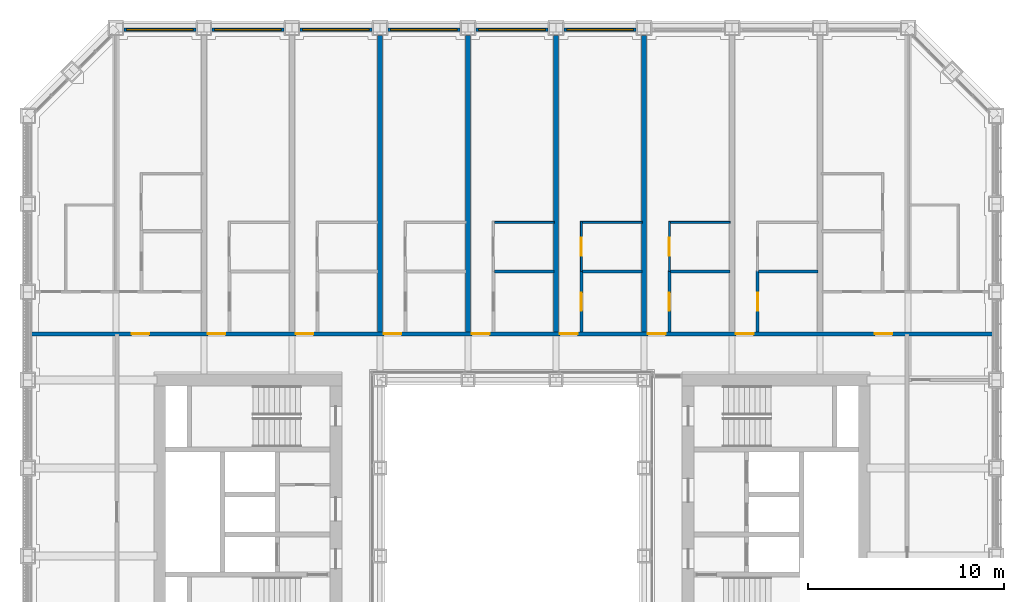
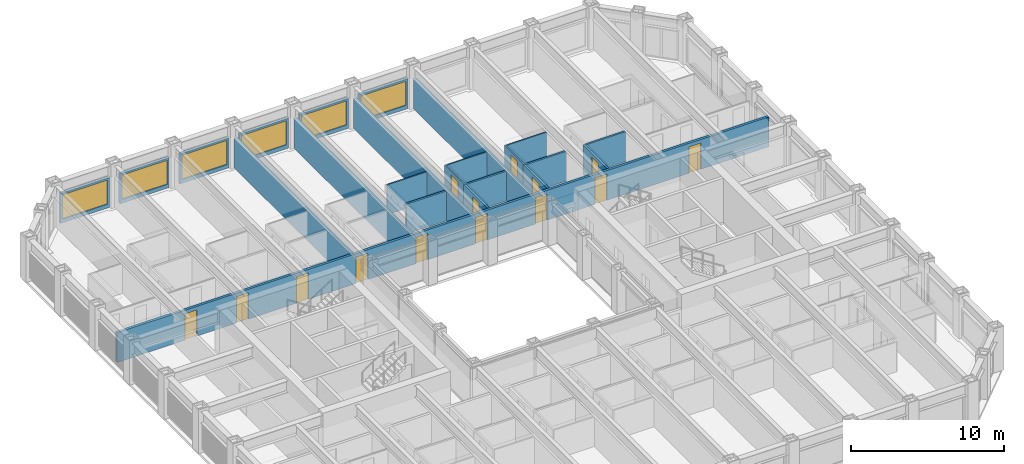
# One storey, part 14 of 21: 23 walls, 14 doors, 6 windows, 20 openings.
"""IFC4 building model written with IfcOpenShell, lengths in metres."""

from ifc_helpers import new_model, si_unit, direction, frame, frame_2d, origin, place, context, subcontext, project, spatial, rectangle, extrude, material, layer, layer_set, type_object, element, fill, save


model = new_model("IFC4")

# Units and contexts
model_context = context("Model", 3, precision=1e-05, world=origin(), true_north=direction((0.0, 1.0)))
body_context = subcontext(model_context, "Body", "Model", "MODEL_VIEW")
ifc_project = project(units=[si_unit("LENGTHUNIT", "METRE"), si_unit("AREAUNIT", "SQUARE_METRE"), si_unit("VOLUMEUNIT", "CUBIC_METRE"), si_unit("PLANEANGLEUNIT", "RADIAN"), si_unit("MASSUNIT", "GRAM", prefix="KILO")], contexts=[model_context])

# Site, building, storey
site_placement = place(None, origin())
site = spatial("IfcSite", under=ifc_project, at=site_placement, CompositionType="ELEMENT")
building_placement = place(site_placement, origin())
building = spatial("IfcBuilding", under=site, at=building_placement, Name="Msasa Ring Tower", CompositionType="ELEMENT")
storey_placement = place(building_placement, frame((0.0, 0.0, 33.5)))
storey = spatial("IfcBuildingStorey", under=building, at=storey_placement, Name="L07", CompositionType="ELEMENT", Elevation=33.5)

# Wall, opening, window
ifc_material_1 = material(Name="Terracotta rainscreen on blockwork", Category="masonry")
ifc_layer_1 = layer(ifc_material_1, 0.199951171875)
ifc_layer_set_1 = layer_set([ifc_layer_1], Name="FW1 TERRACOTTA-LINED INFILL BAY WALL 200")
wall_type_1 = type_object("IfcWallType", Name="FW1 TERRACOTTA-LINED INFILL BAY WALL 200", PredefinedType="SOLIDWALL", material=ifc_layer_set_1)
wall_1_placement = place(storey_placement, frame((-19.844970703125, 24.64990234375, 0.0), z_axis=(0.0, 0.0, 1.0), x_axis=(1.0, 0.0, 0.0)))
wall_1 = element("IfcWall", 1, at=wall_1_placement, inside=storey, type_object=wall_type_1, Name="Infill bay wall N L07 22", PredefinedType="SOLIDWALL", context=body_context, shape_type="SweptSolid", body=[
    extrude(rectangle(XDim=3.68994140625, YDim=0.199951171875, at=frame_2d((1.844970703125, 0.0))), origin(), (0.0, 0.0, 1.0), 2.37890625),
])
opening_1_placement = place(wall_1_placement, frame((0.14501953125, 0.0, 0.300048828125)))
opening_1 = element("IfcOpeningElement", 2, at=opening_1_placement, cuts=wall_1, Name="Opening WN1", PredefinedType="OPENING", context=body_context, shape_type="SweptSolid", body=[
    extrude(rectangle(XDim=3.39990234375, YDim=1.928955078125, at=frame_2d((1.699951171875, 0.96435546875))), frame((0.0, 0.10986328125, 0.0), z_axis=(0.0, -1.0, 0.0), x_axis=(1.0, 0.0, 0.0)), (0.0, 0.0, 1.0), 0.219970703125),
])
ifc_material_2 = material(Name="Aluminium frame with clear glass", Category="aluminium")
window_type = type_object("IfcWindowType", Name="WN1 RESIDENCE WINDOW 3400x1929", PartitioningType="SINGLE_PANEL", PredefinedType="WINDOW", material=ifc_material_2)
window_1_placement = place(opening_1_placement, origin())
window_1 = element("IfcWindow", 3, at=window_1_placement, inside=storey, type_object=window_type, Name="Window N L07 22", OverallHeight=1.928955078125, OverallWidth=3.39990234375, PartitioningType="SINGLE_PANEL", PredefinedType="WINDOW", context=body_context, shape_type="SweptSolid", body=[
    extrude(rectangle(XDim=3.39990234375, YDim=1.928955078125, at=frame_2d((1.699951171875, 0.96435546875))), frame((0.0, 0.030029296875, 0.0), z_axis=(0.0, -1.0, 0.0), x_axis=(1.0, 0.0, 0.0)), (0.0, 0.0, 1.0), 0.06005859375),
])
fill(opening_1, window_1)

wall_2_placement = place(storey_placement, frame((-15.344970703125, 24.64990234375, 0.0), z_axis=(0.0, 0.0, 1.0), x_axis=(1.0, 0.0, 0.0)))
wall_2 = element("IfcWall", 4, at=wall_2_placement, inside=storey, type_object=wall_type_1, Name="Infill bay wall N L07 23", PredefinedType="SOLIDWALL", context=body_context, shape_type="SweptSolid", body=[
    extrude(rectangle(XDim=3.68994140625, YDim=0.199951171875, at=frame_2d((1.844970703125, 0.0))), origin(), (0.0, 0.0, 1.0), 2.37890625),
])
opening_2_placement = place(wall_2_placement, frame((0.14501953125, 0.0, 0.300048828125)))
opening_2 = element("IfcOpeningElement", 5, at=opening_2_placement, cuts=wall_2, Name="Opening WN1", PredefinedType="OPENING", context=body_context, shape_type="SweptSolid", body=[
    extrude(rectangle(XDim=3.39990234375, YDim=1.928955078125, at=frame_2d((1.699951171875, 0.96435546875))), frame((0.0, 0.10986328125, 0.0), z_axis=(0.0, -1.0, 0.0), x_axis=(1.0, 0.0, 0.0)), (0.0, 0.0, 1.0), 0.219970703125),
])
window_2_placement = place(opening_2_placement, origin())
window_2 = element("IfcWindow", 6, at=window_2_placement, inside=storey, type_object=window_type, Name="Window N L07 23", OverallHeight=1.928955078125, OverallWidth=3.39990234375, PartitioningType="SINGLE_PANEL", PredefinedType="WINDOW", context=body_context, shape_type="SweptSolid", body=[
    extrude(rectangle(XDim=3.39990234375, YDim=1.928955078125, at=frame_2d((1.699951171875, 0.96435546875))), frame((0.0, 0.030029296875, 0.0), z_axis=(0.0, -1.0, 0.0), x_axis=(1.0, 0.0, 0.0)), (0.0, 0.0, 1.0), 0.06005859375),
])
fill(opening_2, window_2)

wall_3_placement = place(storey_placement, frame((-10.844970703125, 24.64990234375, 0.0), z_axis=(0.0, 0.0, 1.0), x_axis=(1.0, 0.0, 0.0)))
wall_3 = element("IfcWall", 7, at=wall_3_placement, inside=storey, type_object=wall_type_1, Name="Infill bay wall N L07 24", PredefinedType="SOLIDWALL", context=body_context, shape_type="SweptSolid", body=[
    extrude(rectangle(XDim=3.68994140625, YDim=0.199951171875, at=frame_2d((1.844970703125, 0.0))), origin(), (0.0, 0.0, 1.0), 2.37890625),
])
opening_3_placement = place(wall_3_placement, frame((0.14501953125, 0.0, 0.300048828125)))
opening_3 = element("IfcOpeningElement", 8, at=opening_3_placement, cuts=wall_3, Name="Opening WN1", PredefinedType="OPENING", context=body_context, shape_type="SweptSolid", body=[
    extrude(rectangle(XDim=3.39990234375, YDim=1.928955078125, at=frame_2d((1.699951171875, 0.96435546875))), frame((0.0, 0.10986328125, 0.0), z_axis=(0.0, -1.0, 0.0), x_axis=(1.0, 0.0, 0.0)), (0.0, 0.0, 1.0), 0.219970703125),
])
window_3_placement = place(opening_3_placement, origin())
window_3 = element("IfcWindow", 9, at=window_3_placement, inside=storey, type_object=window_type, Name="Window N L07 24", OverallHeight=1.928955078125, OverallWidth=3.39990234375, PartitioningType="SINGLE_PANEL", PredefinedType="WINDOW", context=body_context, shape_type="SweptSolid", body=[
    extrude(rectangle(XDim=3.39990234375, YDim=1.928955078125, at=frame_2d((1.699951171875, 0.96435546875))), frame((0.0, 0.030029296875, 0.0), z_axis=(0.0, -1.0, 0.0), x_axis=(1.0, 0.0, 0.0)), (0.0, 0.0, 1.0), 0.06005859375),
])
fill(opening_3, window_3)

wall_4_placement = place(storey_placement, frame((-6.344970703125, 24.64990234375, 0.0), z_axis=(0.0, 0.0, 1.0), x_axis=(1.0, 0.0, 0.0)))
wall_4 = element("IfcWall", 10, at=wall_4_placement, inside=storey, type_object=wall_type_1, Name="Infill bay wall N L07 25", PredefinedType="SOLIDWALL", context=body_context, shape_type="SweptSolid", body=[
    extrude(rectangle(XDim=3.68994140625, YDim=0.199951171875, at=frame_2d((1.844970703125, 0.0))), origin(), (0.0, 0.0, 1.0), 2.37890625),
])
opening_4_placement = place(wall_4_placement, frame((0.14501953125, 0.0, 0.300048828125)))
opening_4 = element("IfcOpeningElement", 11, at=opening_4_placement, cuts=wall_4, Name="Opening WN1", PredefinedType="OPENING", context=body_context, shape_type="SweptSolid", body=[
    extrude(rectangle(XDim=3.39990234375, YDim=1.928955078125, at=frame_2d((1.699951171875, 0.96435546875))), frame((0.0, 0.10986328125, 0.0), z_axis=(0.0, -1.0, 0.0), x_axis=(1.0, 0.0, 0.0)), (0.0, 0.0, 1.0), 0.219970703125),
])
window_4_placement = place(opening_4_placement, origin())
window_4 = element("IfcWindow", 12, at=window_4_placement, inside=storey, type_object=window_type, Name="Window N L07 25", OverallHeight=1.928955078125, OverallWidth=3.39990234375, PartitioningType="SINGLE_PANEL", PredefinedType="WINDOW", context=body_context, shape_type="SweptSolid", body=[
    extrude(rectangle(XDim=3.39990234375, YDim=1.928955078125, at=frame_2d((1.699951171875, 0.96435546875))), frame((0.0, 0.030029296875, 0.0), z_axis=(0.0, -1.0, 0.0), x_axis=(1.0, 0.0, 0.0)), (0.0, 0.0, 1.0), 0.06005859375),
])
fill(opening_4, window_4)

wall_5_placement = place(storey_placement, frame((-1.844970703125, 24.64990234375, 0.0), z_axis=(0.0, 0.0, 1.0), x_axis=(1.0, 0.0, 0.0)))
wall_5 = element("IfcWall", 13, at=wall_5_placement, inside=storey, type_object=wall_type_1, Name="Infill bay wall N L07 26", PredefinedType="SOLIDWALL", context=body_context, shape_type="SweptSolid", body=[
    extrude(rectangle(XDim=3.68994140625, YDim=0.199951171875, at=frame_2d((1.844970703125, 0.0))), origin(), (0.0, 0.0, 1.0), 2.37890625),
])
opening_5_placement = place(wall_5_placement, frame((0.14501953125, 0.0, 0.300048828125)))
opening_5 = element("IfcOpeningElement", 14, at=opening_5_placement, cuts=wall_5, Name="Opening WN1", PredefinedType="OPENING", context=body_context, shape_type="SweptSolid", body=[
    extrude(rectangle(XDim=3.39990234375, YDim=1.928955078125, at=frame_2d((1.699951171875, 0.96435546875))), frame((0.0, 0.10986328125, 0.0), z_axis=(0.0, -1.0, 0.0), x_axis=(1.0, 0.0, 0.0)), (0.0, 0.0, 1.0), 0.219970703125),
])
window_5_placement = place(opening_5_placement, origin())
window_5 = element("IfcWindow", 15, at=window_5_placement, inside=storey, type_object=window_type, Name="Window N L07 26", OverallHeight=1.928955078125, OverallWidth=3.39990234375, PartitioningType="SINGLE_PANEL", PredefinedType="WINDOW", context=body_context, shape_type="SweptSolid", body=[
    extrude(rectangle(XDim=3.39990234375, YDim=1.928955078125, at=frame_2d((1.699951171875, 0.96435546875))), frame((0.0, 0.030029296875, 0.0), z_axis=(0.0, -1.0, 0.0), x_axis=(1.0, 0.0, 0.0)), (0.0, 0.0, 1.0), 0.06005859375),
])
fill(opening_5, window_5)

wall_6_placement = place(storey_placement, frame((2.655029296875, 24.64990234375, 0.0), z_axis=(0.0, 0.0, 1.0), x_axis=(1.0, 0.0, 0.0)))
wall_6 = element("IfcWall", 16, at=wall_6_placement, inside=storey, type_object=wall_type_1, Name="Infill bay wall N L07 27", PredefinedType="SOLIDWALL", context=body_context, shape_type="SweptSolid", body=[
    extrude(rectangle(XDim=3.68994140625, YDim=0.199951171875, at=frame_2d((1.844970703125, 0.0))), origin(), (0.0, 0.0, 1.0), 2.37890625),
])
opening_6_placement = place(wall_6_placement, frame((0.14501953125, 0.0, 0.300048828125)))
opening_6 = element("IfcOpeningElement", 17, at=opening_6_placement, cuts=wall_6, Name="Opening WN1", PredefinedType="OPENING", context=body_context, shape_type="SweptSolid", body=[
    extrude(rectangle(XDim=3.39990234375, YDim=1.928955078125, at=frame_2d((1.699951171875, 0.96435546875))), frame((0.0, 0.10986328125, 0.0), z_axis=(0.0, -1.0, 0.0), x_axis=(1.0, 0.0, 0.0)), (0.0, 0.0, 1.0), 0.219970703125),
])
window_6_placement = place(opening_6_placement, origin())
window_6 = element("IfcWindow", 18, at=window_6_placement, inside=storey, type_object=window_type, Name="Window N L07 27", OverallHeight=1.928955078125, OverallWidth=3.39990234375, PartitioningType="SINGLE_PANEL", PredefinedType="WINDOW", context=body_context, shape_type="SweptSolid", body=[
    extrude(rectangle(XDim=3.39990234375, YDim=1.928955078125, at=frame_2d((1.699951171875, 0.96435546875))), frame((0.0, 0.030029296875, 0.0), z_axis=(0.0, -1.0, 0.0), x_axis=(1.0, 0.0, 0.0)), (0.0, 0.0, 1.0), 0.06005859375),
])
fill(opening_6, window_6)

# Wall, openings, doors
ifc_material_3 = material(Name="Concrete blockwork", Category="masonry")
ifc_layer_2 = layer(ifc_material_3, 0.199951171875)
ifc_layer_set_2 = layer_set([ifc_layer_2], Name="PT1 CORRIDOR WALL 200")
wall_type_2 = type_object("IfcWallType", Name="PT1 CORRIDOR WALL 200", PredefinedType="PARTITIONING", material=ifc_layer_set_2)
wall_7_placement = place(storey_placement, frame((-24.550048828125, 9.10009765625, 0.0), z_axis=(0.0, 0.0, 1.0), x_axis=(1.0, 0.0, 0.0)))
wall_7 = element("IfcWall", 19, at=wall_7_placement, inside=storey, type_object=wall_type_2, Name="Corridor wall L07-CORRN0", PredefinedType="PARTITIONING", context=body_context, shape_type="SweptSolid", body=[
    extrude(rectangle(XDim=49.10009765625, YDim=0.199951171875, at=frame_2d((24.550048828125, 0.0))), origin(), (0.0, 0.0, 1.0), 2.373291015625),
])
opening_7_placement = place(wall_7_placement, frame((5.10009765625, 0.0, 0.0)))
opening_7 = element("IfcOpeningElement", 20, at=opening_7_placement, cuts=wall_7, Name="Opening RA-027", PredefinedType="OPENING", context=body_context, shape_type="SweptSolid", body=[
    extrude(rectangle(XDim=0.89990234375, YDim=2.10009765625, at=frame_2d((0.449951171875, 1.050048828125))), frame((0.0, 0.10986328125, 0.0), z_axis=(0.0, -1.0, 0.0), x_axis=(1.0, 0.0, 0.0)), (0.0, 0.0, 1.0), 0.219970703125),
])
opening_8_placement = place(wall_7_placement, frame((9.0, 0.0, 0.0)))
opening_8 = element("IfcOpeningElement", 21, at=opening_8_placement, cuts=wall_7, Name="Opening RA-028", PredefinedType="OPENING", context=body_context, shape_type="SweptSolid", body=[
    extrude(rectangle(XDim=0.89990234375, YDim=2.10009765625, at=frame_2d((0.449951171875, 1.050048828125))), frame((0.0, 0.10986328125, 0.0), z_axis=(0.0, -1.0, 0.0), x_axis=(1.0, 0.0, 0.0)), (0.0, 0.0, 1.0), 0.219970703125),
])
opening_9_placement = place(wall_7_placement, frame((13.5, 0.0, 0.0)))
opening_9 = element("IfcOpeningElement", 22, at=opening_9_placement, cuts=wall_7, Name="Opening RA-029", PredefinedType="OPENING", context=body_context, shape_type="SweptSolid", body=[
    extrude(rectangle(XDim=0.89990234375, YDim=2.10009765625, at=frame_2d((0.449951171875, 1.050048828125))), frame((0.0, 0.10986328125, 0.0), z_axis=(0.0, -1.0, 0.0), x_axis=(1.0, 0.0, 0.0)), (0.0, 0.0, 1.0), 0.219970703125),
])
opening_10_placement = place(wall_7_placement, frame((18.0, 0.0, 0.0)))
opening_10 = element("IfcOpeningElement", 23, at=opening_10_placement, cuts=wall_7, Name="Opening RA-030", PredefinedType="OPENING", context=body_context, shape_type="SweptSolid", body=[
    extrude(rectangle(XDim=0.89990234375, YDim=2.10009765625, at=frame_2d((0.449951171875, 1.050048828125))), frame((0.0, 0.10986328125, 0.0), z_axis=(0.0, -1.0, 0.0), x_axis=(1.0, 0.0, 0.0)), (0.0, 0.0, 1.0), 0.219970703125),
])
opening_11_placement = place(wall_7_placement, frame((22.5, 0.0, 0.0)))
opening_11 = element("IfcOpeningElement", 24, at=opening_11_placement, cuts=wall_7, Name="Opening RA-031", PredefinedType="OPENING", context=body_context, shape_type="SweptSolid", body=[
    extrude(rectangle(XDim=0.89990234375, YDim=2.10009765625, at=frame_2d((0.449951171875, 1.050048828125))), frame((0.0, 0.10986328125, 0.0), z_axis=(0.0, -1.0, 0.0), x_axis=(1.0, 0.0, 0.0)), (0.0, 0.0, 1.0), 0.219970703125),
])
opening_12_placement = place(wall_7_placement, frame((27.0, 0.0, 0.0)))
opening_12 = element("IfcOpeningElement", 25, at=opening_12_placement, cuts=wall_7, Name="Opening RA-032", PredefinedType="OPENING", context=body_context, shape_type="SweptSolid", body=[
    extrude(rectangle(XDim=0.89990234375, YDim=2.10009765625, at=frame_2d((0.449951171875, 1.050048828125))), frame((0.0, 0.10986328125, 0.0), z_axis=(0.0, -1.0, 0.0), x_axis=(1.0, 0.0, 0.0)), (0.0, 0.0, 1.0), 0.219970703125),
])
opening_13_placement = place(wall_7_placement, frame((31.5, 0.0, 0.0)))
opening_13 = element("IfcOpeningElement", 26, at=opening_13_placement, cuts=wall_7, Name="Opening RA-033", PredefinedType="OPENING", context=body_context, shape_type="SweptSolid", body=[
    extrude(rectangle(XDim=0.89990234375, YDim=2.10009765625, at=frame_2d((0.449951171875, 1.050048828125))), frame((0.0, 0.10986328125, 0.0), z_axis=(0.0, -1.0, 0.0), x_axis=(1.0, 0.0, 0.0)), (0.0, 0.0, 1.0), 0.219970703125),
])
opening_14_placement = place(wall_7_placement, frame((36.0, 0.0, 0.0)))
opening_14 = element("IfcOpeningElement", 27, at=opening_14_placement, cuts=wall_7, Name="Opening RA-034", PredefinedType="OPENING", context=body_context, shape_type="SweptSolid", body=[
    extrude(rectangle(XDim=0.89990234375, YDim=2.10009765625, at=frame_2d((0.449951171875, 1.050048828125))), frame((0.0, 0.10986328125, 0.0), z_axis=(0.0, -1.0, 0.0), x_axis=(1.0, 0.0, 0.0)), (0.0, 0.0, 1.0), 0.219970703125),
])
opening_15_placement = place(wall_7_placement, frame((43.10009765625, 0.0, 0.0)))
opening_15 = element("IfcOpeningElement", 28, at=opening_15_placement, cuts=wall_7, Name="Opening RA-035", PredefinedType="OPENING", context=body_context, shape_type="SweptSolid", body=[
    extrude(rectangle(XDim=0.89990234375, YDim=2.10009765625, at=frame_2d((0.449951171875, 1.050048828125))), frame((0.0, 0.10986328125, 0.0), z_axis=(0.0, -1.0, 0.0), x_axis=(1.0, 0.0, 0.0)), (0.0, 0.0, 1.0), 0.219970703125),
])
ifc_material_4 = material(Name="Timber door leaf in a steel frame", Category="steel")
door_type_1 = type_object("IfcDoorType", Name="D2 ENTRANCE DOOR 900x2100", OperationType="SINGLE_SWING_LEFT", PredefinedType="DOOR", material=ifc_material_4)
door_1_placement = place(opening_7_placement, origin())
door_1 = element("IfcDoor", 29, at=door_1_placement, inside=storey, type_object=door_type_1, Name="Door L07-UN00", OperationType="SINGLE_SWING_LEFT", OverallHeight=2.10009765625, OverallWidth=0.89990234375, PredefinedType="DOOR", context=body_context, shape_type="SweptSolid", body=[
    extrude(rectangle(XDim=0.89990234375, YDim=2.10009765625, at=frame_2d((0.449951171875, 1.050048828125))), frame((0.0, 0.02490234375, 0.0), z_axis=(0.0, -1.0, 0.0), x_axis=(1.0, 0.0, 0.0)), (0.0, 0.0, 1.0), 0.050048828125),
])
fill(opening_7, door_1)
door_2_placement = place(opening_8_placement, origin())
door_2 = element("IfcDoor", 30, at=door_2_placement, inside=storey, type_object=door_type_1, Name="Door L07-UN01", OperationType="SINGLE_SWING_LEFT", OverallHeight=2.10009765625, OverallWidth=0.89990234375, PredefinedType="DOOR", context=body_context, shape_type="SweptSolid", body=[
    extrude(rectangle(XDim=0.89990234375, YDim=2.10009765625, at=frame_2d((0.449951171875, 1.050048828125))), frame((0.0, 0.02490234375, 0.0), z_axis=(0.0, -1.0, 0.0), x_axis=(1.0, 0.0, 0.0)), (0.0, 0.0, 1.0), 0.050048828125),
])
fill(opening_8, door_2)
door_3_placement = place(opening_9_placement, origin())
door_3 = element("IfcDoor", 31, at=door_3_placement, inside=storey, type_object=door_type_1, Name="Door L07-UN02", OperationType="SINGLE_SWING_LEFT", OverallHeight=2.10009765625, OverallWidth=0.89990234375, PredefinedType="DOOR", context=body_context, shape_type="SweptSolid", body=[
    extrude(rectangle(XDim=0.89990234375, YDim=2.10009765625, at=frame_2d((0.449951171875, 1.050048828125))), frame((0.0, 0.02490234375, 0.0), z_axis=(0.0, -1.0, 0.0), x_axis=(1.0, 0.0, 0.0)), (0.0, 0.0, 1.0), 0.050048828125),
])
fill(opening_9, door_3)
door_4_placement = place(opening_10_placement, origin())
door_4 = element("IfcDoor", 32, at=door_4_placement, inside=storey, type_object=door_type_1, Name="Door L07-UN03", OperationType="SINGLE_SWING_LEFT", OverallHeight=2.10009765625, OverallWidth=0.89990234375, PredefinedType="DOOR", context=body_context, shape_type="SweptSolid", body=[
    extrude(rectangle(XDim=0.89990234375, YDim=2.10009765625, at=frame_2d((0.449951171875, 1.050048828125))), frame((0.0, 0.02490234375, 0.0), z_axis=(0.0, -1.0, 0.0), x_axis=(1.0, 0.0, 0.0)), (0.0, 0.0, 1.0), 0.050048828125),
])
fill(opening_10, door_4)
door_5_placement = place(opening_11_placement, origin())
door_5 = element("IfcDoor", 33, at=door_5_placement, inside=storey, type_object=door_type_1, Name="Door L07-UN04", OperationType="SINGLE_SWING_LEFT", OverallHeight=2.10009765625, OverallWidth=0.89990234375, PredefinedType="DOOR", context=body_context, shape_type="SweptSolid", body=[
    extrude(rectangle(XDim=0.89990234375, YDim=2.10009765625, at=frame_2d((0.449951171875, 1.050048828125))), frame((0.0, 0.02490234375, 0.0), z_axis=(0.0, -1.0, 0.0), x_axis=(1.0, 0.0, 0.0)), (0.0, 0.0, 1.0), 0.050048828125),
])
fill(opening_11, door_5)
door_6_placement = place(opening_12_placement, origin())
door_6 = element("IfcDoor", 34, at=door_6_placement, inside=storey, type_object=door_type_1, Name="Door L07-UN05", OperationType="SINGLE_SWING_RIGHT", OverallHeight=2.10009765625, OverallWidth=0.89990234375, PredefinedType="DOOR", context=body_context, shape_type="SweptSolid", body=[
    extrude(rectangle(XDim=0.89990234375, YDim=2.10009765625, at=frame_2d((0.449951171875, 1.050048828125))), frame((0.0, 0.02490234375, 0.0), z_axis=(0.0, -1.0, 0.0), x_axis=(1.0, 0.0, 0.0)), (0.0, 0.0, 1.0), 0.050048828125),
])
fill(opening_12, door_6)
door_7_placement = place(opening_13_placement, origin())
door_7 = element("IfcDoor", 35, at=door_7_placement, inside=storey, type_object=door_type_1, Name="Door L07-UN06", OperationType="SINGLE_SWING_RIGHT", OverallHeight=2.10009765625, OverallWidth=0.89990234375, PredefinedType="DOOR", context=body_context, shape_type="SweptSolid", body=[
    extrude(rectangle(XDim=0.89990234375, YDim=2.10009765625, at=frame_2d((0.449951171875, 1.050048828125))), frame((0.0, 0.02490234375, 0.0), z_axis=(0.0, -1.0, 0.0), x_axis=(1.0, 0.0, 0.0)), (0.0, 0.0, 1.0), 0.050048828125),
])
fill(opening_13, door_7)
door_8_placement = place(opening_14_placement, origin())
door_8 = element("IfcDoor", 36, at=door_8_placement, inside=storey, type_object=door_type_1, Name="Door L07-UN07", OperationType="SINGLE_SWING_RIGHT", OverallHeight=2.10009765625, OverallWidth=0.89990234375, PredefinedType="DOOR", context=body_context, shape_type="SweptSolid", body=[
    extrude(rectangle(XDim=0.89990234375, YDim=2.10009765625, at=frame_2d((0.449951171875, 1.050048828125))), frame((0.0, 0.02490234375, 0.0), z_axis=(0.0, -1.0, 0.0), x_axis=(1.0, 0.0, 0.0)), (0.0, 0.0, 1.0), 0.050048828125),
])
fill(opening_14, door_8)
door_9_placement = place(opening_15_placement, origin())
door_9 = element("IfcDoor", 37, at=door_9_placement, inside=storey, type_object=door_type_1, Name="Door L07-UN08", OperationType="SINGLE_SWING_RIGHT", OverallHeight=2.10009765625, OverallWidth=0.89990234375, PredefinedType="DOOR", context=body_context, shape_type="SweptSolid", body=[
    extrude(rectangle(XDim=0.89990234375, YDim=2.10009765625, at=frame_2d((0.449951171875, 1.050048828125))), frame((0.0, 0.02490234375, 0.0), z_axis=(0.0, -1.0, 0.0), x_axis=(1.0, 0.0, 0.0)), (0.0, 0.0, 1.0), 0.050048828125),
])
fill(opening_15, door_9)

# Walls
ifc_material_5 = material(Name="Gypsum board on steel studs", Category="steel")
ifc_layer_3 = layer(ifc_material_5, 0.10009765625)
ifc_layer_set_3 = layer_set([ifc_layer_3], Name="PT2 STUD PARTITION 100")
wall_type_3 = type_object("IfcWallType", Name="PT2 STUD PARTITION 100", PredefinedType="PARTITIONING", material=ifc_layer_set_3)
for number, where, z_axis, x_axis, name in (
    (38, (-0.89990234375, 14.800048828125, 0.0), (0.0, 0.0, 1.0), (1.0, 0.0, 0.0), "Partition L07-UN04KY"),
    (39, (3.60009765625, 14.800048828125, 0.0), (0.0, 0.0, 1.0), (1.0, 0.0, 0.0), "Partition L07-UN05KY"),
):
    element("IfcWall", number, at=place(storey_placement, frame(where, z_axis=z_axis, x_axis=x_axis)), inside=storey, type_object=wall_type_3, Name=name, PredefinedType="PARTITIONING", context=body_context, shape_type="SweptSolid", body=[
        extrude(rectangle(XDim=3.0498046875, YDim=0.10009765625, at=frame_2d((1.52490234375, 0.0))), origin(), (0.0, 0.0, 1.0), 2.373291015625),
    ])

# Wall, opening, door
wall_8_placement = place(storey_placement, frame((3.550048828125, 12.300048828125, 0.0), z_axis=(0.0, 0.0, 1.0), x_axis=(0.0, 1.0, 0.0)))
wall_8 = element("IfcWall", 40, at=wall_8_placement, inside=storey, type_object=wall_type_3, Name="Partition L07-UN05KX", PredefinedType="PARTITIONING", context=body_context, shape_type="SweptSolid", body=[
    extrude(rectangle(XDim=2.550048828125, YDim=0.10009765625, at=frame_2d((1.27490234375, 0.0))), origin(), (0.0, 0.0, 1.0), 2.373291015625),
])
opening_16_placement = place(wall_8_placement, frame((0.81005859375, 0.0, 0.0)))
opening_16 = element("IfcOpeningElement", 41, at=opening_16_placement, cuts=wall_8, Name="Opening RA-007", PredefinedType="OPENING", context=body_context, shape_type="SweptSolid", body=[
    extrude(rectangle(XDim=0.89990234375, YDim=2.10009765625, at=frame_2d((0.449951171875, 1.050048828125))), frame((0.0, 0.06005859375, 0.0), z_axis=(0.0, -1.0, 0.0), x_axis=(1.0, 0.0, 0.0)), (0.0, 0.0, 1.0), 0.1201171875),
])
ifc_material_6 = material(Name="Timber door leaf in a steel frame", Category="steel")
door_type_2 = type_object("IfcDoorType", Name="D22 INTERNAL HALL DOOR 900x2100", OperationType="SINGLE_SWING_LEFT", PredefinedType="DOOR", material=ifc_material_6)
door_10_placement = place(opening_16_placement, origin())
door_10 = element("IfcDoor", 42, at=door_10_placement, inside=storey, type_object=door_type_2, Name="Door L07-UN05K", OperationType="SINGLE_SWING_LEFT", OverallHeight=2.10009765625, OverallWidth=0.89990234375, PredefinedType="DOOR", context=body_context, shape_type="SweptSolid", body=[
    extrude(rectangle(XDim=0.89990234375, YDim=2.10009765625, at=frame_2d((0.449951171875, 1.050048828125))), frame((0.0, 0.02490234375, 0.0), z_axis=(0.0, -1.0, 0.0), x_axis=(1.0, 0.0, 0.0)), (0.0, 0.0, 1.0), 0.050048828125),
])
fill(opening_16, door_10)

# Wall
wall_9_placement = place(storey_placement, frame((8.10009765625, 14.800048828125, 0.0), z_axis=(0.0, 0.0, 1.0), x_axis=(1.0, 0.0, 0.0)))
element("IfcWall", 43, at=wall_9_placement, inside=storey, type_object=wall_type_3, Name="Partition L07-UN06KY", PredefinedType="PARTITIONING", context=body_context, shape_type="SweptSolid", body=[
    extrude(rectangle(XDim=3.0498046875, YDim=0.10009765625, at=frame_2d((1.52490234375, 0.0))), origin(), (0.0, 0.0, 1.0), 2.373291015625),
])

# Wall, opening, door
wall_10_placement = place(storey_placement, frame((8.050048828125, 12.300048828125, 0.0), z_axis=(0.0, 0.0, 1.0), x_axis=(0.0, 1.0, 0.0)))
wall_10 = element("IfcWall", 44, at=wall_10_placement, inside=storey, type_object=wall_type_3, Name="Partition L07-UN06KX", PredefinedType="PARTITIONING", context=body_context, shape_type="SweptSolid", body=[
    extrude(rectangle(XDim=2.550048828125, YDim=0.10009765625, at=frame_2d((1.27490234375, 0.0))), origin(), (0.0, 0.0, 1.0), 2.373291015625),
])
opening_17_placement = place(wall_10_placement, frame((0.81005859375, 0.0, 0.0)))
opening_17 = element("IfcOpeningElement", 45, at=opening_17_placement, cuts=wall_10, Name="Opening RA-008", PredefinedType="OPENING", context=body_context, shape_type="SweptSolid", body=[
    extrude(rectangle(XDim=0.89990234375, YDim=2.10009765625, at=frame_2d((0.449951171875, 1.050048828125))), frame((0.0, 0.06005859375, 0.0), z_axis=(0.0, -1.0, 0.0), x_axis=(1.0, 0.0, 0.0)), (0.0, 0.0, 1.0), 0.1201171875),
])
door_11_placement = place(opening_17_placement, origin())
door_11 = element("IfcDoor", 46, at=door_11_placement, inside=storey, type_object=door_type_2, Name="Door L07-UN06K", OperationType="SINGLE_SWING_LEFT", OverallHeight=2.10009765625, OverallWidth=0.89990234375, PredefinedType="DOOR", context=body_context, shape_type="SweptSolid", body=[
    extrude(rectangle(XDim=0.89990234375, YDim=2.10009765625, at=frame_2d((0.449951171875, 1.050048828125))), frame((0.0, 0.02490234375, 0.0), z_axis=(0.0, -1.0, 0.0), x_axis=(1.0, 0.0, 0.0)), (0.0, 0.0, 1.0), 0.050048828125),
])
fill(opening_17, door_11)

# Walls
ifc_material_7 = material(Name="Dense concrete blockwork, plastered both faces", Category="masonry")
ifc_layer_4 = layer(ifc_material_7, 0.25)
ifc_layer_set_4 = layer_set([ifc_layer_4], Name="PT3 APARTMENT SEPARATING WALL 250")
wall_type_4 = type_object("IfcWallType", Name="PT3 APARTMENT SEPARATING WALL 250", PredefinedType="PARTITIONING", material=ifc_layer_set_4)
for number, where, z_axis, x_axis, name in (
    (47, (-6.75, 9.199951171875, 0.0), (0.0, 0.0, 1.0), (0.0, 1.0, 0.0), "Party wall L07-PWN-6.75"),
    (48, (-2.25, 9.199951171875, 0.0), (0.0, 0.0, 1.0), (0.0, 1.0, 0.0), "Party wall L07-PWN-2.25"),
    (49, (2.25, 9.199951171875, 0.0), (0.0, 0.0, 1.0), (0.0, 1.0, 0.0), "Party wall L07-PWN+2.25"),
    (50, (6.75, 9.199951171875, 0.0), (0.0, 0.0, 1.0), (0.0, 1.0, 0.0), "Party wall L07-PWN+6.75"),
):
    element("IfcWall", number, at=place(storey_placement, frame(where, z_axis=z_axis, x_axis=x_axis)), inside=storey, type_object=wall_type_4, Name=name, PredefinedType="PARTITIONING", context=body_context, shape_type="SweptSolid", body=[
        extrude(rectangle(XDim=15.150146484375, YDim=0.25, at=frame_2d((7.5751953125, 0.0))), origin(), (0.0, 0.0, 1.0), 2.373291015625),
    ])
ifc_material_8 = material(Name="Moisture-resistant board on steel studs with a concealed cistern and pipe void, tiled", Category="steel")
ifc_layer_5 = layer(ifc_material_8, 0.14990234375)
ifc_layer_set_5 = layer_set([ifc_layer_5], Name="PT4 BATHROOM WET WALL 150")
wall_type_5 = type_object("IfcWallType", Name="PT4 BATHROOM WET WALL 150", PredefinedType="PARTITIONING", material=ifc_layer_set_5)
wall_11_placement = place(storey_placement, frame((-0.89990234375, 12.300048828125, 0.0), z_axis=(0.0, 0.0, 1.0), x_axis=(1.0, 0.0, 0.0)))
element("IfcWall", 51, at=wall_11_placement, inside=storey, type_object=wall_type_5, Name="Partition L07-UN04BY", PredefinedType="PARTITIONING", context=body_context, shape_type="SweptSolid", body=[
    extrude(rectangle(XDim=3.0498046875, YDim=0.14990234375, at=frame_2d((1.52490234375, 0.0))), origin(), (0.0, 0.0, 1.0), 2.373291015625),
])

# Wall, opening, door
wall_12_placement = place(storey_placement, frame((3.550048828125, 9.199951171875, 0.0), z_axis=(0.0, 0.0, 1.0), x_axis=(0.0, 1.0, 0.0)))
wall_12 = element("IfcWall", 52, at=wall_12_placement, inside=storey, type_object=wall_type_5, Name="Partition L07-UN05BX", PredefinedType="PARTITIONING", context=body_context, shape_type="SweptSolid", body=[
    extrude(rectangle(XDim=3.150146484375, YDim=0.14990234375, at=frame_2d((1.5751953125, 0.0))), origin(), (0.0, 0.0, 1.0), 2.373291015625),
])
opening_18_placement = place(wall_12_placement, frame((1.10009765625, 0.0, 0.0)))
opening_18 = element("IfcOpeningElement", 53, at=opening_18_placement, cuts=wall_12, Name="Opening RA-024", PredefinedType="OPENING", context=body_context, shape_type="SweptSolid", body=[
    extrude(rectangle(XDim=0.89990234375, YDim=2.10009765625, at=frame_2d((0.449951171875, 1.050048828125))), frame((0.0, 0.0849609375, 0.0), z_axis=(0.0, -1.0, 0.0), x_axis=(1.0, 0.0, 0.0)), (0.0, 0.0, 1.0), 0.169921875),
])
ifc_material_9 = material(Name="Timber door leaf in a steel frame", Category="steel")
door_type_3 = type_object("IfcDoorType", Name="D3 BATHROOM DOOR 900x2100", OperationType="SINGLE_SWING_LEFT", PredefinedType="DOOR", material=ifc_material_9)
door_12_placement = place(opening_18_placement, origin())
door_12 = element("IfcDoor", 54, at=door_12_placement, inside=storey, type_object=door_type_3, Name="Door L07-UN05B", OperationType="SINGLE_SWING_LEFT", OverallHeight=2.10009765625, OverallWidth=0.89990234375, PredefinedType="DOOR", context=body_context, shape_type="SweptSolid", body=[
    extrude(rectangle(XDim=0.89990234375, YDim=2.10009765625, at=frame_2d((0.449951171875, 1.050048828125))), frame((0.0, 0.02490234375, 0.0), z_axis=(0.0, -1.0, 0.0), x_axis=(1.0, 0.0, 0.0)), (0.0, 0.0, 1.0), 0.050048828125),
])
fill(opening_18, door_12)

# Wall
wall_13_placement = place(storey_placement, frame((3.60009765625, 12.300048828125, 0.0), z_axis=(0.0, 0.0, 1.0), x_axis=(1.0, 0.0, 0.0)))
element("IfcWall", 55, at=wall_13_placement, inside=storey, type_object=wall_type_5, Name="Partition L07-UN05BY", PredefinedType="PARTITIONING", context=body_context, shape_type="SweptSolid", body=[
    extrude(rectangle(XDim=3.0498046875, YDim=0.14990234375, at=frame_2d((1.52490234375, 0.0))), origin(), (0.0, 0.0, 1.0), 2.373291015625),
])

# Wall, opening, door
wall_14_placement = place(storey_placement, frame((8.050048828125, 9.199951171875, 0.0), z_axis=(0.0, 0.0, 1.0), x_axis=(0.0, 1.0, 0.0)))
wall_14 = element("IfcWall", 56, at=wall_14_placement, inside=storey, type_object=wall_type_5, Name="Partition L07-UN06BX", PredefinedType="PARTITIONING", context=body_context, shape_type="SweptSolid", body=[
    extrude(rectangle(XDim=3.150146484375, YDim=0.14990234375, at=frame_2d((1.5751953125, 0.0))), origin(), (0.0, 0.0, 1.0), 2.373291015625),
])
opening_19_placement = place(wall_14_placement, frame((1.10009765625, 0.0, 0.0)))
opening_19 = element("IfcOpeningElement", 57, at=opening_19_placement, cuts=wall_14, Name="Opening RA-025", PredefinedType="OPENING", context=body_context, shape_type="SweptSolid", body=[
    extrude(rectangle(XDim=0.89990234375, YDim=2.10009765625, at=frame_2d((0.449951171875, 1.050048828125))), frame((0.0, 0.0849609375, 0.0), z_axis=(0.0, -1.0, 0.0), x_axis=(1.0, 0.0, 0.0)), (0.0, 0.0, 1.0), 0.169921875),
])
door_13_placement = place(opening_19_placement, origin())
door_13 = element("IfcDoor", 58, at=door_13_placement, inside=storey, type_object=door_type_3, Name="Door L07-UN06B", OperationType="SINGLE_SWING_LEFT", OverallHeight=2.10009765625, OverallWidth=0.89990234375, PredefinedType="DOOR", context=body_context, shape_type="SweptSolid", body=[
    extrude(rectangle(XDim=0.89990234375, YDim=2.10009765625, at=frame_2d((0.449951171875, 1.050048828125))), frame((0.0, 0.02490234375, 0.0), z_axis=(0.0, -1.0, 0.0), x_axis=(1.0, 0.0, 0.0)), (0.0, 0.0, 1.0), 0.050048828125),
])
fill(opening_19, door_13)

# Wall
wall_15_placement = place(storey_placement, frame((8.10009765625, 12.300048828125, 0.0), z_axis=(0.0, 0.0, 1.0), x_axis=(1.0, 0.0, 0.0)))
element("IfcWall", 59, at=wall_15_placement, inside=storey, type_object=wall_type_5, Name="Partition L07-UN06BY", PredefinedType="PARTITIONING", context=body_context, shape_type="SweptSolid", body=[
    extrude(rectangle(XDim=3.0498046875, YDim=0.14990234375, at=frame_2d((1.52490234375, 0.0))), origin(), (0.0, 0.0, 1.0), 2.373291015625),
])

# Wall, opening, door
wall_16_placement = place(storey_placement, frame((12.550048828125, 9.199951171875, 0.0), z_axis=(0.0, 0.0, 1.0), x_axis=(0.0, 1.0, 0.0)))
wall_16 = element("IfcWall", 60, at=wall_16_placement, inside=storey, type_object=wall_type_5, Name="Partition L07-UN07BX", PredefinedType="PARTITIONING", context=body_context, shape_type="SweptSolid", body=[
    extrude(rectangle(XDim=3.150146484375, YDim=0.14990234375, at=frame_2d((1.5751953125, 0.0))), origin(), (0.0, 0.0, 1.0), 2.373291015625),
])
opening_20_placement = place(wall_16_placement, frame((1.10009765625, 0.0, 0.0)))
opening_20 = element("IfcOpeningElement", 61, at=opening_20_placement, cuts=wall_16, Name="Opening RA-026", PredefinedType="OPENING", context=body_context, shape_type="SweptSolid", body=[
    extrude(rectangle(XDim=0.89990234375, YDim=2.10009765625, at=frame_2d((0.449951171875, 1.050048828125))), frame((0.0, 0.0849609375, 0.0), z_axis=(0.0, -1.0, 0.0), x_axis=(1.0, 0.0, 0.0)), (0.0, 0.0, 1.0), 0.169921875),
])
door_14_placement = place(opening_20_placement, origin())
door_14 = element("IfcDoor", 62, at=door_14_placement, inside=storey, type_object=door_type_3, Name="Door L07-UN07B", OperationType="SINGLE_SWING_LEFT", OverallHeight=2.10009765625, OverallWidth=0.89990234375, PredefinedType="DOOR", context=body_context, shape_type="SweptSolid", body=[
    extrude(rectangle(XDim=0.89990234375, YDim=2.10009765625, at=frame_2d((0.449951171875, 1.050048828125))), frame((0.0, 0.02490234375, 0.0), z_axis=(0.0, -1.0, 0.0), x_axis=(1.0, 0.0, 0.0)), (0.0, 0.0, 1.0), 0.050048828125),
])
fill(opening_20, door_14)

# Wall
wall_17_placement = place(storey_placement, frame((12.60009765625, 12.300048828125, 0.0), z_axis=(0.0, 0.0, 1.0), x_axis=(1.0, 0.0, 0.0)))
element("IfcWall", 63, at=wall_17_placement, inside=storey, type_object=wall_type_5, Name="Partition L07-UN07BY", PredefinedType="PARTITIONING", context=body_context, shape_type="SweptSolid", body=[
    extrude(rectangle(XDim=3.0498046875, YDim=0.14990234375, at=frame_2d((1.52490234375, 0.0))), origin(), (0.0, 0.0, 1.0), 2.373291015625),
])

save(model, "model.ifc")
